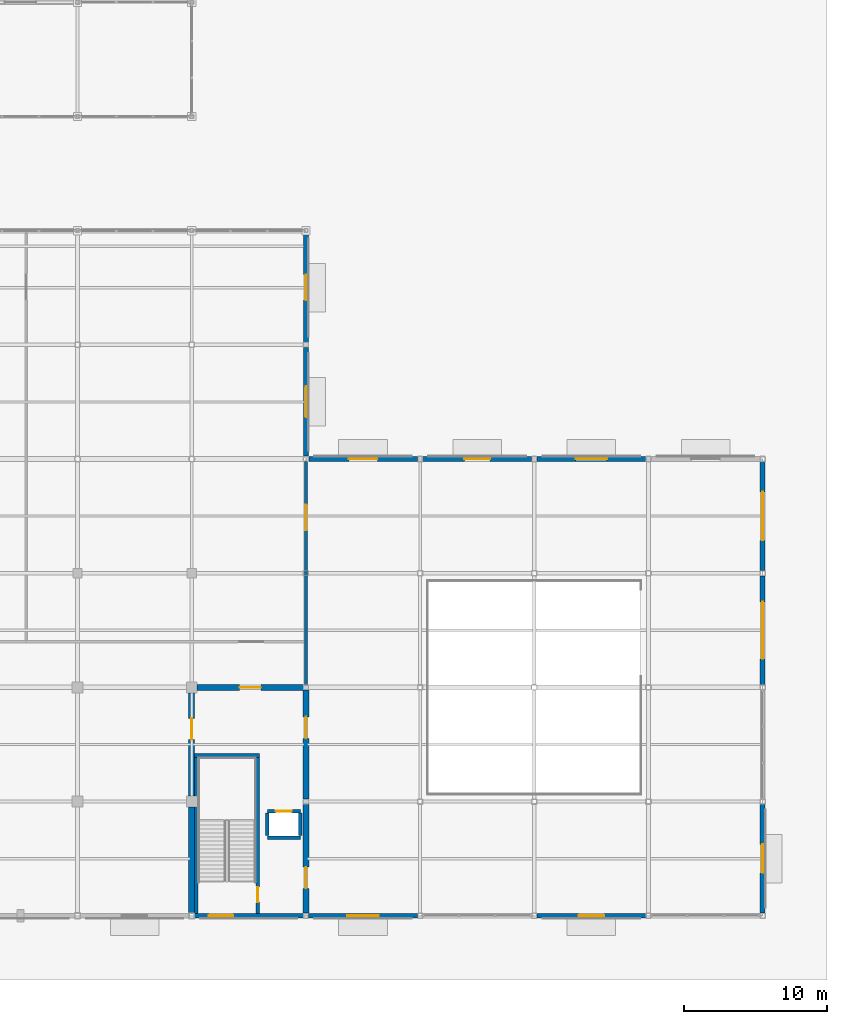
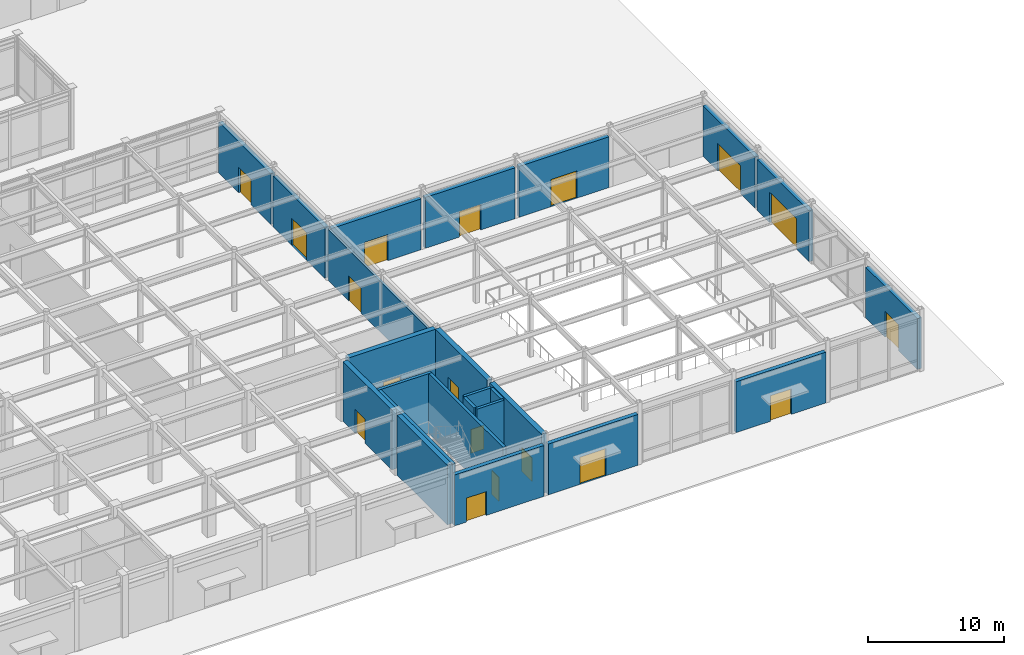
# One storey, part 106 of 128: 24 walls, 18 doors, 18 openings.
"""IFC4 building model written with IfcOpenShell, lengths in metres."""

from ifc_helpers import new_model, si_unit, direction, frame, frame_2d, origin, place, context, subcontext, project, spatial, rectangle, extrude, material, layer, layer_set, type_object, element, fill, save


model = new_model("IFC4")

# Units and contexts
model_context = context("Model", 3, precision=1e-05, world=origin(), true_north=direction((0.0, 1.0)))
body_context = subcontext(model_context, "Body", "Model", "MODEL_VIEW")
ifc_project = project(units=[si_unit("LENGTHUNIT", "METRE"), si_unit("AREAUNIT", "SQUARE_METRE"), si_unit("VOLUMEUNIT", "CUBIC_METRE"), si_unit("PLANEANGLEUNIT", "RADIAN"), si_unit("MASSUNIT", "GRAM", prefix="KILO")], contexts=[model_context])

# Site, building, storey
site_placement = place(None, origin())
site = spatial("IfcSite", under=ifc_project, at=site_placement, CompositionType="ELEMENT")
building_placement = place(site_placement, origin())
building = spatial("IfcBuilding", under=site, at=building_placement, Name="Solmirada Galleria", CompositionType="ELEMENT")
storey_placement = place(building_placement, origin())
storey = spatial("IfcBuildingStorey", under=building, at=storey_placement, Name="L00", CompositionType="ELEMENT", Elevation=0.0)

# Wall, opening, door
ifc_material_1 = material(Name="Concrete C40/50", Category="concrete")
ifc_layer_1 = layer(ifc_material_1, 0.419921875)
ifc_layer_set_1 = layer_set([ifc_layer_1], Name="Concrete C40/50")
wall_type_1 = type_object("IfcWallType", Name="WL-CORE-420", PredefinedType="SHEAR", material=ifc_layer_set_1)
wall_1_placement = place(storey_placement, frame((136.375, 16.0, 0.0), z_axis=(0.0, 0.0, 1.0), x_axis=(1.0, 0.0, 0.0)))
wall_1 = element("IfcWall", 1, at=wall_1_placement, inside=storey, type_object=wall_type_1, Name="Core C6 shear wall L00 N1", PredefinedType="SHEAR", context=body_context, shape_type="SweptSolid", body=[
    extrude(rectangle(XDim=7.447021484375, YDim=0.419921875, at=frame_2d((3.7236328125, 0.0))), origin(), (0.0, 0.0, 1.0), 5.3798828125),
])
opening_1_placement = place(wall_1_placement, frame((2.97412109375, 0.0, 0.0)))
opening_1 = element("IfcOpeningElement", 2, at=opening_1_placement, cuts=wall_1, Name="Opening LDY-241", PredefinedType="OPENING", context=body_context, shape_type="SweptSolid", body=[
    extrude(rectangle(XDim=1.5, YDim=2.14990234375, at=frame_2d((0.75, 1.074951171875))), frame((0.0, 0.219970703125, 0.0), z_axis=(0.0, -1.0, 0.0), x_axis=(1.0, 0.0, 0.0)), (0.0, 0.0, 1.0), 0.43994140625),
])
ifc_material_2 = material(Name="Fire-rated painted steel door assembly", Category="steel")
door_type_1 = type_object("IfcDoorType", Name="DR-LOBBY-150X215", OperationType="DOUBLE_DOOR_SINGLE_SWING", PredefinedType="DOOR", material=ifc_material_2)
door_1_placement = place(opening_1_placement, origin())
door_1 = element("IfcDoor", 3, at=door_1_placement, inside=storey, type_object=door_type_1, Name="Core C6 lobby access fire door LDY-241", OperationType="DOUBLE_DOOR_SINGLE_SWING", OverallHeight=2.14990234375, OverallWidth=1.5, PredefinedType="DOOR", context=body_context, shape_type="SweptSolid", body=[
    extrude(rectangle(XDim=1.5, YDim=2.14990234375, at=frame_2d((0.75, 1.074951171875))), frame((0.0, 0.02490234375, 0.0), z_axis=(0.0, -1.0, 0.0), x_axis=(1.0, 0.0, 0.0)), (0.0, 0.0, 1.0), 0.050048828125),
])
fill(opening_1, door_1)

# Wall
wall_2_placement = place(storey_placement, frame((136.0, 0.202880859375, 0.0), z_axis=(0.0, 0.0, 1.0), x_axis=(0.0, 1.0, 0.0)))
element("IfcWall", 4, at=wall_2_placement, inside=storey, type_object=wall_type_1, Name="Core C6 shear wall L00 W1", PredefinedType="SHEAR", context=body_context, shape_type="SweptSolid", body=[
    extrude(rectangle(XDim=7.422119140625, YDim=0.419921875, at=frame_2d((3.7109375, 0.0))), origin(), (0.0, 0.0, 1.0), 5.3798828125),
])

# Wall, opening, door
wall_3_placement = place(storey_placement, frame((136.0, 8.375, 0.0), z_axis=(0.0, 0.0, 1.0), x_axis=(0.0, 1.0, 0.0)))
wall_3 = element("IfcWall", 5, at=wall_3_placement, inside=storey, type_object=wall_type_1, Name="Core C6 shear wall L00 W2", PredefinedType="SHEAR", context=body_context, shape_type="SweptSolid", body=[
    extrude(rectangle(XDim=7.25, YDim=0.419921875, at=frame_2d((3.625, 0.0))), origin(), (0.0, 0.0, 1.0), 5.3798828125),
])
opening_2_placement = place(wall_3_placement, frame((3.962890625, 0.0, 0.0)))
opening_2 = element("IfcOpeningElement", 6, at=opening_2_placement, cuts=wall_3, Name="Opening LDY-242", PredefinedType="OPENING", context=body_context, shape_type="SweptSolid", body=[
    extrude(rectangle(XDim=1.5, YDim=2.14990234375, at=frame_2d((0.75, 1.074951171875))), frame((0.0, 0.219970703125, 0.0), z_axis=(0.0, -1.0, 0.0), x_axis=(1.0, 0.0, 0.0)), (0.0, 0.0, 1.0), 0.43994140625),
])
door_2_placement = place(opening_2_placement, origin())
door_2 = element("IfcDoor", 7, at=door_2_placement, inside=storey, type_object=door_type_1, Name="Core C6 lobby access fire door LDY-242", OperationType="DOUBLE_DOOR_SINGLE_SWING", OverallHeight=2.14990234375, OverallWidth=1.5, PredefinedType="DOOR", context=body_context, shape_type="SweptSolid", body=[
    extrude(rectangle(XDim=1.5, YDim=2.14990234375, at=frame_2d((0.75, 1.074951171875))), frame((0.0, 0.02490234375, 0.0), z_axis=(0.0, -1.0, 0.0), x_axis=(1.0, 0.0, 0.0)), (0.0, 0.0, 1.0), 0.050048828125),
])
fill(opening_2, door_2)

wall_4_placement = place(storey_placement, frame((144.0, 0.177978515625, 0.0), z_axis=(0.0, 0.0, 1.0), x_axis=(0.0, 1.0, 0.0)))
wall_4 = element("IfcWall", 8, at=wall_4_placement, inside=storey, type_object=wall_type_1, Name="Core C6 shear wall L00 E1", PredefinedType="SHEAR", context=body_context, shape_type="SweptSolid", body=[
    extrude(rectangle(XDim=7.64404296875, YDim=0.419921875, at=frame_2d((3.822021484375, 0.0))), origin(), (0.0, 0.0, 1.0), 5.3798828125),
])
opening_3_placement = place(wall_4_placement, frame((1.736083984375, 0.0, 0.0)))
opening_3 = element("IfcOpeningElement", 9, at=opening_3_placement, cuts=wall_4, Name="Opening LDY-243", PredefinedType="OPENING", context=body_context, shape_type="SweptSolid", body=[
    extrude(rectangle(XDim=1.5, YDim=2.14990234375, at=frame_2d((0.75, 1.074951171875))), frame((0.0, 0.219970703125, 0.0), z_axis=(0.0, -1.0, 0.0), x_axis=(1.0, 0.0, 0.0)), (0.0, 0.0, 1.0), 0.43994140625),
])
door_3_placement = place(opening_3_placement, origin())
door_3 = element("IfcDoor", 10, at=door_3_placement, inside=storey, type_object=door_type_1, Name="Core C6 lobby access fire door LDY-243", OperationType="DOUBLE_DOOR_SINGLE_SWING", OverallHeight=2.14990234375, OverallWidth=1.5, PredefinedType="DOOR", context=body_context, shape_type="SweptSolid", body=[
    extrude(rectangle(XDim=1.5, YDim=2.14990234375, at=frame_2d((0.75, 1.074951171875))), frame((0.0, 0.02490234375, 0.0), z_axis=(0.0, -1.0, 0.0), x_axis=(1.0, 0.0, 0.0)), (0.0, 0.0, 1.0), 0.050048828125),
])
fill(opening_3, door_3)

wall_5_placement = place(storey_placement, frame((144.0, 8.177978515625, 0.0), z_axis=(0.0, 0.0, 1.0), x_axis=(0.0, 1.0, 0.0)))
wall_5 = element("IfcWall", 11, at=wall_5_placement, inside=storey, type_object=wall_type_1, Name="Core C6 shear wall L00 E2", PredefinedType="SHEAR", context=body_context, shape_type="SweptSolid", body=[
    extrude(rectangle(XDim=7.64404296875, YDim=0.419921875, at=frame_2d((3.822021484375, 0.0))), origin(), (0.0, 0.0, 1.0), 5.3798828125),
])
opening_4_placement = place(wall_5_placement, frame((4.258056640625, 0.0, 0.0)))
opening_4 = element("IfcOpeningElement", 12, at=opening_4_placement, cuts=wall_5, Name="Opening LDY-244", PredefinedType="OPENING", context=body_context, shape_type="SweptSolid", body=[
    extrude(rectangle(XDim=1.5, YDim=2.14990234375, at=frame_2d((0.75, 1.074951171875))), frame((0.0, 0.219970703125, 0.0), z_axis=(0.0, -1.0, 0.0), x_axis=(1.0, 0.0, 0.0)), (0.0, 0.0, 1.0), 0.43994140625),
])
door_4_placement = place(opening_4_placement, origin())
door_4 = element("IfcDoor", 13, at=door_4_placement, inside=storey, type_object=door_type_1, Name="Core C6 lobby access fire door LDY-244", OperationType="DOUBLE_DOOR_SINGLE_SWING", OverallHeight=2.14990234375, OverallWidth=1.5, PredefinedType="DOOR", context=body_context, shape_type="SweptSolid", body=[
    extrude(rectangle(XDim=1.5, YDim=2.14990234375, at=frame_2d((0.75, 1.074951171875))), frame((0.0, 0.02490234375, 0.0), z_axis=(0.0, -1.0, 0.0), x_axis=(1.0, 0.0, 0.0)), (0.0, 0.0, 1.0), 0.050048828125),
])
fill(opening_4, door_4)

ifc_material_3 = material(Name="Precast concrete C40/50", Category="concrete")
ifc_layer_2 = layer(ifc_material_3, 0.340087890625)
ifc_layer_set_2 = layer_set([ifc_layer_2], Name="Precast concrete C40/50")
wall_type_2 = type_object("IfcWallType", Name="WL-EXT-340", PredefinedType="STANDARD", material=ifc_layer_set_2)
wall_6_placement = place(storey_placement, frame((144.0, 47.873046875, 0.0), z_axis=(0.0, 0.0, 1.0), x_axis=(0.0, -1.0, 0.0)))
wall_6 = element("IfcWall", 14, at=wall_6_placement, inside=storey, type_object=wall_type_2, Name="Exterior wall L00 bay 054", PredefinedType="STANDARD", context=body_context, shape_type="SweptSolid", body=[
    extrude(rectangle(XDim=7.695068359375, YDim=0.340087890625, at=frame_2d((3.84765625, 0.0))), origin(), (0.0, 0.0, 1.0), 4.580078125),
])
opening_5_placement = place(wall_6_placement, frame((2.947998046875, 0.0, 0.0)))
opening_5 = element("IfcOpeningElement", 15, at=opening_5_placement, cuts=wall_6, Name="Opening ED-023", PredefinedType="OPENING", context=body_context, shape_type="SweptSolid", body=[
    extrude(rectangle(XDim=1.800048828125, YDim=2.300048828125, at=frame_2d((0.89990234375, 1.14990234375))), frame((0.0, 0.179931640625, 0.0), z_axis=(0.0, -1.0, 0.0), x_axis=(1.0, 0.0, 0.0)), (0.0, 0.0, 1.0), 0.360107421875),
])
ifc_material_4 = material(Name="Thermally broken aluminium and laminated glass door", Category="aluminium")
door_type_2 = type_object("IfcDoorType", Name="DR-ENT-180X230", OperationType="DOUBLE_DOOR_SINGLE_SWING", PredefinedType="DOOR", material=ifc_material_4)
door_5_placement = place(opening_5_placement, origin())
door_5 = element("IfcDoor", 16, at=door_5_placement, inside=storey, type_object=door_type_2, Name="Public avenue entrance door ED-023", OperationType="DOUBLE_DOOR_SINGLE_SWING", OverallHeight=2.300048828125, OverallWidth=1.800048828125, PredefinedType="DOOR", context=body_context, shape_type="SweptSolid", body=[
    extrude(rectangle(XDim=1.800048828125, YDim=2.300048828125, at=frame_2d((0.89990234375, 1.14990234375))), frame((0.0, 0.02490234375, 0.0), z_axis=(0.0, -1.0, 0.0), x_axis=(1.0, 0.0, 0.0)), (0.0, 0.0, 1.0), 0.050048828125),
])
fill(opening_5, door_5)

wall_7_placement = place(storey_placement, frame((144.0, 39.822021484375, 0.0), z_axis=(0.0, 0.0, 1.0), x_axis=(0.0, -1.0, 0.0)))
wall_7 = element("IfcWall", 17, at=wall_7_placement, inside=storey, type_object=wall_type_2, Name="Exterior wall L00 bay 055", PredefinedType="STANDARD", context=body_context, shape_type="SweptSolid", body=[
    extrude(rectangle(XDim=7.619140625, YDim=0.340087890625, at=frame_2d((3.8095703125, 0.0))), origin(), (0.0, 0.0, 1.0), 4.580078125),
])
opening_6_placement = place(wall_7_placement, frame((2.708984375, 0.0, 0.0)))
opening_6 = element("IfcOpeningElement", 18, at=opening_6_placement, cuts=wall_7, Name="Opening ED-024", PredefinedType="OPENING", context=body_context, shape_type="SweptSolid", body=[
    extrude(rectangle(XDim=2.199951171875, YDim=2.449951171875, at=frame_2d((1.10009765625, 1.22509765625))), frame((0.0, 0.179931640625, 0.0), z_axis=(0.0, -1.0, 0.0), x_axis=(1.0, 0.0, 0.0)), (0.0, 0.0, 1.0), 0.360107421875),
])
door_type_3 = type_object("IfcDoorType", Name="DR-ENT-220X245", OperationType="DOUBLE_DOOR_SINGLE_SWING", PredefinedType="DOOR", material=ifc_material_4)
door_6_placement = place(opening_6_placement, origin())
door_6 = element("IfcDoor", 19, at=door_6_placement, inside=storey, type_object=door_type_3, Name="Public avenue entrance door ED-024", OperationType="DOUBLE_DOOR_SINGLE_SWING", OverallHeight=2.449951171875, OverallWidth=2.199951171875, PredefinedType="DOOR", context=body_context, shape_type="SweptSolid", body=[
    extrude(rectangle(XDim=2.199951171875, YDim=2.449951171875, at=frame_2d((1.10009765625, 1.22509765625))), frame((0.0, 0.02490234375, 0.0), z_axis=(0.0, -1.0, 0.0), x_axis=(1.0, 0.0, 0.0)), (0.0, 0.0, 1.0), 0.050048828125),
])
fill(opening_6, door_6)

wall_8_placement = place(storey_placement, frame((144.202880859375, 32.0, 0.0), z_axis=(0.0, 0.0, 1.0), x_axis=(1.0, 0.0, 0.0)))
wall_8 = element("IfcWall", 20, at=wall_8_placement, inside=storey, type_object=wall_type_2, Name="Exterior wall L00 bay 056", PredefinedType="STANDARD", context=body_context, shape_type="SweptSolid", body=[
    extrude(rectangle(XDim=7.619140625, YDim=0.340087890625, at=frame_2d((3.8095703125, 0.0))), origin(), (0.0, 0.0, 1.0), 4.580078125),
])
opening_7_placement = place(wall_8_placement, frame((2.80908203125, 0.0, 0.0)))
opening_7 = element("IfcOpeningElement", 21, at=opening_7_placement, cuts=wall_8, Name="Opening ED-025", PredefinedType="OPENING", context=body_context, shape_type="SweptSolid", body=[
    extrude(rectangle(XDim=2.0, YDim=2.35009765625, at=frame_2d((1.0, 1.175048828125))), frame((0.0, 0.179931640625, 0.0), z_axis=(0.0, -1.0, 0.0), x_axis=(1.0, 0.0, 0.0)), (0.0, 0.0, 1.0), 0.360107421875),
])
door_type_4 = type_object("IfcDoorType", Name="DR-ENT-200X235", OperationType="DOUBLE_DOOR_SINGLE_SWING", PredefinedType="DOOR", material=ifc_material_4)
door_7_placement = place(opening_7_placement, origin())
door_7 = element("IfcDoor", 22, at=door_7_placement, inside=storey, type_object=door_type_4, Name="Public avenue entrance door ED-025", OperationType="DOUBLE_DOOR_SINGLE_SWING", OverallHeight=2.35009765625, OverallWidth=2.0, PredefinedType="DOOR", context=body_context, shape_type="SweptSolid", body=[
    extrude(rectangle(XDim=2.0, YDim=2.35009765625, at=frame_2d((1.0, 1.175048828125))), frame((0.0, 0.02490234375, 0.0), z_axis=(0.0, -1.0, 0.0), x_axis=(1.0, 0.0, 0.0)), (0.0, 0.0, 1.0), 0.050048828125),
])
fill(opening_7, door_7)

wall_9_placement = place(storey_placement, frame((152.177978515625, 32.0, 0.0), z_axis=(0.0, 0.0, 1.0), x_axis=(1.0, 0.0, 0.0)))
wall_9 = element("IfcWall", 23, at=wall_9_placement, inside=storey, type_object=wall_type_2, Name="Exterior wall L00 bay 057", PredefinedType="STANDARD", context=body_context, shape_type="SweptSolid", body=[
    extrude(rectangle(XDim=7.64404296875, YDim=0.340087890625, at=frame_2d((3.822021484375, 0.0))), origin(), (0.0, 0.0, 1.0), 4.580078125),
])
opening_8_placement = place(wall_9_placement, frame((2.922119140625, 0.0, 0.0)))
opening_8 = element("IfcOpeningElement", 24, at=opening_8_placement, cuts=wall_9, Name="Opening ED-026", PredefinedType="OPENING", context=body_context, shape_type="SweptSolid", body=[
    extrude(rectangle(XDim=1.800048828125, YDim=2.300048828125, at=frame_2d((0.89990234375, 1.14990234375))), frame((0.0, 0.179931640625, 0.0), z_axis=(0.0, -1.0, 0.0), x_axis=(1.0, 0.0, 0.0)), (0.0, 0.0, 1.0), 0.360107421875),
])
door_8_placement = place(opening_8_placement, origin())
door_8 = element("IfcDoor", 25, at=door_8_placement, inside=storey, type_object=door_type_2, Name="Public avenue entrance door ED-026", OperationType="DOUBLE_DOOR_SINGLE_SWING", OverallHeight=2.300048828125, OverallWidth=1.800048828125, PredefinedType="DOOR", context=body_context, shape_type="SweptSolid", body=[
    extrude(rectangle(XDim=1.800048828125, YDim=2.300048828125, at=frame_2d((0.89990234375, 1.14990234375))), frame((0.0, 0.02490234375, 0.0), z_axis=(0.0, -1.0, 0.0), x_axis=(1.0, 0.0, 0.0)), (0.0, 0.0, 1.0), 0.050048828125),
])
fill(opening_8, door_8)

wall_10_placement = place(storey_placement, frame((160.177978515625, 32.0, 0.0), z_axis=(0.0, 0.0, 1.0), x_axis=(1.0, 0.0, 0.0)))
wall_10 = element("IfcWall", 26, at=wall_10_placement, inside=storey, type_object=wall_type_2, Name="Exterior wall L00 bay 058", PredefinedType="STANDARD", context=body_context, shape_type="SweptSolid", body=[
    extrude(rectangle(XDim=7.64404296875, YDim=0.340087890625, at=frame_2d((3.822021484375, 0.0))), origin(), (0.0, 0.0, 1.0), 4.580078125),
])
opening_9_placement = place(wall_10_placement, frame((2.721923828125, 0.0, 0.0)))
opening_9 = element("IfcOpeningElement", 27, at=opening_9_placement, cuts=wall_10, Name="Opening ED-027", PredefinedType="OPENING", context=body_context, shape_type="SweptSolid", body=[
    extrude(rectangle(XDim=2.199951171875, YDim=2.449951171875, at=frame_2d((1.10009765625, 1.22509765625))), frame((0.0, 0.179931640625, 0.0), z_axis=(0.0, -1.0, 0.0), x_axis=(1.0, 0.0, 0.0)), (0.0, 0.0, 1.0), 0.360107421875),
])
door_9_placement = place(opening_9_placement, origin())
door_9 = element("IfcDoor", 28, at=door_9_placement, inside=storey, type_object=door_type_3, Name="Public avenue entrance door ED-027", OperationType="DOUBLE_DOOR_SINGLE_SWING", OverallHeight=2.449951171875, OverallWidth=2.199951171875, PredefinedType="DOOR", context=body_context, shape_type="SweptSolid", body=[
    extrude(rectangle(XDim=2.199951171875, YDim=2.449951171875, at=frame_2d((1.10009765625, 1.22509765625))), frame((0.0, 0.02490234375, 0.0), z_axis=(0.0, -1.0, 0.0), x_axis=(1.0, 0.0, 0.0)), (0.0, 0.0, 1.0), 0.050048828125),
])
fill(opening_9, door_9)

wall_11_placement = place(storey_placement, frame((176.0, 31.822021484375, 0.0), z_axis=(0.0, 0.0, 1.0), x_axis=(0.0, -1.0, 0.0)))
wall_11 = element("IfcWall", 29, at=wall_11_placement, inside=storey, type_object=wall_type_2, Name="Exterior wall L00 bay 060", PredefinedType="STANDARD", context=body_context, shape_type="SweptSolid", body=[
    extrude(rectangle(XDim=7.64404296875, YDim=0.340087890625, at=frame_2d((3.822021484375, 0.0))), origin(), (0.0, 0.0, 1.0), 4.580078125),
])
opening_10_placement = place(wall_11_placement, frame((2.1220703125, 0.0, 0.0)))
opening_10 = element("IfcOpeningElement", 30, at=opening_10_placement, cuts=wall_11, Name="Opening VG-029", PredefinedType="OPENING", context=body_context, shape_type="SweptSolid", body=[
    extrude(rectangle(XDim=3.39990234375, YDim=2.5, at=frame_2d((1.699951171875, 1.25))), frame((0.0, 0.179931640625, 0.0), z_axis=(0.0, -1.0, 0.0), x_axis=(1.0, 0.0, 0.0)), (0.0, 0.0, 1.0), 0.360107421875),
])
ifc_material_5 = material(Name="Painted galvanized steel door assembly", Category="steel")
door_type_5 = type_object("IfcDoorType", Name="DR-GATE-340X250", OperationType="DOUBLE_DOOR_SINGLE_SWING", PredefinedType="GATE", material=ifc_material_5)
door_10_placement = place(opening_10_placement, origin())
door_10 = element("IfcDoor", 31, at=door_10_placement, inside=storey, type_object=door_type_5, Name="Basement parking ramp vehicle gate VG-029", OperationType="DOUBLE_DOOR_SINGLE_SWING", OverallHeight=2.5, OverallWidth=3.39990234375, PredefinedType="GATE", context=body_context, shape_type="SweptSolid", body=[
    extrude(rectangle(XDim=3.39990234375, YDim=2.5, at=frame_2d((1.699951171875, 1.25))), frame((0.0, 0.02490234375, 0.0), z_axis=(0.0, -1.0, 0.0), x_axis=(1.0, 0.0, 0.0)), (0.0, 0.0, 1.0), 0.050048828125),
])
fill(opening_10, door_10)

wall_12_placement = place(storey_placement, frame((176.0, 23.822021484375, 0.0), z_axis=(0.0, 0.0, 1.0), x_axis=(0.0, -1.0, 0.0)))
wall_12 = element("IfcWall", 32, at=wall_12_placement, inside=storey, type_object=wall_type_2, Name="Exterior wall L00 bay 061", PredefinedType="STANDARD", context=body_context, shape_type="SweptSolid", body=[
    extrude(rectangle(XDim=7.64404296875, YDim=0.340087890625, at=frame_2d((3.822021484375, 0.0))), origin(), (0.0, 0.0, 1.0), 4.580078125),
])
opening_11_placement = place(wall_12_placement, frame((1.822021484375, 0.0, 0.0)))
opening_11 = element("IfcOpeningElement", 33, at=opening_11_placement, cuts=wall_12, Name="Opening VG-030", PredefinedType="OPENING", context=body_context, shape_type="SweptSolid", body=[
    extrude(rectangle(XDim=4.0, YDim=2.75, at=frame_2d((2.0, 1.375))), frame((0.0, 0.179931640625, 0.0), z_axis=(0.0, -1.0, 0.0), x_axis=(1.0, 0.0, 0.0)), (0.0, 0.0, 1.0), 0.360107421875),
])
door_type_6 = type_object("IfcDoorType", Name="DR-GATE-400X275", OperationType="ROLLINGUP", PredefinedType="GATE", material=ifc_material_5)
door_11_placement = place(opening_11_placement, origin())
door_11 = element("IfcDoor", 34, at=door_11_placement, inside=storey, type_object=door_type_6, Name="Basement parking ramp vehicle gate VG-030", OperationType="ROLLINGUP", OverallHeight=2.75, OverallWidth=4.0, PredefinedType="GATE", context=body_context, shape_type="SweptSolid", body=[
    extrude(rectangle(XDim=4.0, YDim=2.75, at=frame_2d((2.0, 1.375))), frame((0.0, 0.02490234375, 0.0), z_axis=(0.0, -1.0, 0.0), x_axis=(1.0, 0.0, 0.0)), (0.0, 0.0, 1.0), 0.050048828125),
])
fill(opening_11, door_11)

wall_13_placement = place(storey_placement, frame((176.0, 7.822021484375, 0.0), z_axis=(0.0, 0.0, 1.0), x_axis=(0.0, -1.0, 0.0)))
wall_13 = element("IfcWall", 35, at=wall_13_placement, inside=storey, type_object=wall_type_2, Name="Exterior wall L00 bay 063", PredefinedType="STANDARD", context=body_context, shape_type="SweptSolid", body=[
    extrude(rectangle(XDim=7.64404296875, YDim=0.340087890625, at=frame_2d((3.822021484375, 0.0))), origin(), (0.0, 0.0, 1.0), 4.580078125),
])
opening_12_placement = place(wall_13_placement, frame((2.822021484375, 0.0, 0.0)))
opening_12 = element("IfcOpeningElement", 36, at=opening_12_placement, cuts=wall_13, Name="Opening ED-031", PredefinedType="OPENING", context=body_context, shape_type="SweptSolid", body=[
    extrude(rectangle(XDim=2.0, YDim=2.35009765625, at=frame_2d((1.0, 1.175048828125))), frame((0.0, 0.179931640625, 0.0), z_axis=(0.0, -1.0, 0.0), x_axis=(1.0, 0.0, 0.0)), (0.0, 0.0, 1.0), 0.360107421875),
])
door_12_placement = place(opening_12_placement, origin())
door_12 = element("IfcDoor", 37, at=door_12_placement, inside=storey, type_object=door_type_4, Name="Public avenue entrance door ED-031", OperationType="DOUBLE_DOOR_SINGLE_SWING", OverallHeight=2.35009765625, OverallWidth=2.0, PredefinedType="DOOR", context=body_context, shape_type="SweptSolid", body=[
    extrude(rectangle(XDim=2.0, YDim=2.35009765625, at=frame_2d((1.0, 1.175048828125))), frame((0.0, 0.02490234375, 0.0), z_axis=(0.0, -1.0, 0.0), x_axis=(1.0, 0.0, 0.0)), (0.0, 0.0, 1.0), 0.050048828125),
])
fill(opening_12, door_12)

wall_14_placement = place(storey_placement, frame((167.822021484375, 0.0, 0.0), z_axis=(0.0, 0.0, 1.0), x_axis=(-1.0, 0.0, 0.0)))
wall_14 = element("IfcWall", 38, at=wall_14_placement, inside=storey, type_object=wall_type_2, Name="Exterior wall L00 bay 065", PredefinedType="STANDARD", context=body_context, shape_type="SweptSolid", body=[
    extrude(rectangle(XDim=7.64404296875, YDim=0.340087890625, at=frame_2d((3.822021484375, 0.0))), origin(), (0.0, 0.0, 1.0), 4.580078125),
])
opening_13_placement = place(wall_14_placement, frame((2.922119140625, 0.0, 0.0)))
opening_13 = element("IfcOpeningElement", 39, at=opening_13_placement, cuts=wall_14, Name="Opening ED-032", PredefinedType="OPENING", context=body_context, shape_type="SweptSolid", body=[
    extrude(rectangle(XDim=1.800048828125, YDim=2.300048828125, at=frame_2d((0.89990234375, 1.14990234375))), frame((0.0, 0.179931640625, 0.0), z_axis=(0.0, -1.0, 0.0), x_axis=(1.0, 0.0, 0.0)), (0.0, 0.0, 1.0), 0.360107421875),
])
door_13_placement = place(opening_13_placement, origin())
door_13 = element("IfcDoor", 40, at=door_13_placement, inside=storey, type_object=door_type_2, Name="Public avenue entrance door ED-032", OperationType="DOUBLE_DOOR_SINGLE_SWING", OverallHeight=2.300048828125, OverallWidth=1.800048828125, PredefinedType="DOOR", context=body_context, shape_type="SweptSolid", body=[
    extrude(rectangle(XDim=1.800048828125, YDim=2.300048828125, at=frame_2d((0.89990234375, 1.14990234375))), frame((0.0, 0.02490234375, 0.0), z_axis=(0.0, -1.0, 0.0), x_axis=(1.0, 0.0, 0.0)), (0.0, 0.0, 1.0), 0.050048828125),
])
fill(opening_13, door_13)

wall_15_placement = place(storey_placement, frame((151.822021484375, 0.0, 0.0), z_axis=(0.0, 0.0, 1.0), x_axis=(-1.0, 0.0, 0.0)))
wall_15 = element("IfcWall", 41, at=wall_15_placement, inside=storey, type_object=wall_type_2, Name="Exterior wall L00 bay 067", PredefinedType="STANDARD", context=body_context, shape_type="SweptSolid", body=[
    extrude(rectangle(XDim=7.64404296875, YDim=0.340087890625, at=frame_2d((3.822021484375, 0.0))), origin(), (0.0, 0.0, 1.0), 4.580078125),
])
opening_14_placement = place(wall_15_placement, frame((2.721923828125, 0.0, 0.0)))
opening_14 = element("IfcOpeningElement", 42, at=opening_14_placement, cuts=wall_15, Name="Opening ED-033", PredefinedType="OPENING", context=body_context, shape_type="SweptSolid", body=[
    extrude(rectangle(XDim=2.199951171875, YDim=2.449951171875, at=frame_2d((1.10009765625, 1.22509765625))), frame((0.0, 0.179931640625, 0.0), z_axis=(0.0, -1.0, 0.0), x_axis=(1.0, 0.0, 0.0)), (0.0, 0.0, 1.0), 0.360107421875),
])
door_14_placement = place(opening_14_placement, origin())
door_14 = element("IfcDoor", 43, at=door_14_placement, inside=storey, type_object=door_type_3, Name="Public avenue entrance door ED-033", OperationType="DOUBLE_DOOR_SINGLE_SWING", OverallHeight=2.449951171875, OverallWidth=2.199951171875, PredefinedType="DOOR", context=body_context, shape_type="SweptSolid", body=[
    extrude(rectangle(XDim=2.199951171875, YDim=2.449951171875, at=frame_2d((1.10009765625, 1.22509765625))), frame((0.0, 0.02490234375, 0.0), z_axis=(0.0, -1.0, 0.0), x_axis=(1.0, 0.0, 0.0)), (0.0, 0.0, 1.0), 0.050048828125),
])
fill(opening_14, door_14)

wall_16_placement = place(storey_placement, frame((143.822021484375, 0.0, 0.0), z_axis=(0.0, 0.0, 1.0), x_axis=(-1.0, 0.0, 0.0)))
wall_16 = element("IfcWall", 44, at=wall_16_placement, inside=storey, type_object=wall_type_2, Name="Exterior wall L00 bay 068", PredefinedType="STANDARD", context=body_context, shape_type="SweptSolid", body=[
    extrude(rectangle(XDim=7.619140625, YDim=0.340087890625, at=frame_2d((3.8095703125, 0.0))), origin(), (0.0, 0.0, 1.0), 4.580078125),
])
opening_15_placement = place(wall_16_placement, frame((4.9189453125, 0.0, 0.0)))
opening_15 = element("IfcOpeningElement", 45, at=opening_15_placement, cuts=wall_16, Name="Opening ED-034", PredefinedType="OPENING", context=body_context, shape_type="SweptSolid", body=[
    extrude(rectangle(XDim=1.699951171875, YDim=2.14990234375, at=frame_2d((0.85009765625, 1.074951171875))), frame((0.0, 0.179931640625, 0.0), z_axis=(0.0, -1.0, 0.0), x_axis=(1.0, 0.0, 0.0)), (0.0, 0.0, 1.0), 0.360107421875),
])
door_type_7 = type_object("IfcDoorType", Name="DR-EXIT-170X215", OperationType="DOUBLE_DOOR_SINGLE_SWING", PredefinedType="DOOR", material=ifc_material_5)
door_15_placement = place(opening_15_placement, origin())
door_15 = element("IfcDoor", 46, at=door_15_placement, inside=storey, type_object=door_type_7, Name="Exit stair ST6 exterior discharge door ED-034", OperationType="DOUBLE_DOOR_SINGLE_SWING", OverallHeight=2.14990234375, OverallWidth=1.699951171875, PredefinedType="DOOR", context=body_context, shape_type="SweptSolid", body=[
    extrude(rectangle(XDim=1.699951171875, YDim=2.14990234375, at=frame_2d((0.85009765625, 1.074951171875))), frame((0.0, 0.02490234375, 0.0), z_axis=(0.0, -1.0, 0.0), x_axis=(1.0, 0.0, 0.0)), (0.0, 0.0, 1.0), 0.050048828125),
])
fill(opening_15, door_15)

ifc_layer_3 = layer(ifc_material_1, 0.239990234375)
ifc_layer_set_3 = layer_set([ifc_layer_3], Name="Concrete C40/50")
wall_type_3 = type_object("IfcWallType", Name="WL-HOIST-240", PredefinedType="PARTITIONING", material=ifc_layer_set_3)
wall_17_placement = place(storey_placement, frame((141.294921875, 7.330078125, 0.0), z_axis=(0.0, 0.0, 1.0), x_axis=(1.0, 0.0, 0.0)))
wall_17 = element("IfcWall", 47, at=wall_17_placement, inside=storey, type_object=wall_type_3, Name="Lift LP6 hoistway front wall L00", PredefinedType="PARTITIONING", context=body_context, shape_type="SweptSolid", body=[
    extrude(rectangle(XDim=2.31005859375, YDim=0.239990234375, at=frame_2d((1.155029296875, 0.0))), origin(), (0.0, 0.0, 1.0), 5.3798828125),
])
opening_16_placement = place(wall_17_placement, frame((0.60498046875, 0.0, 0.0)))
opening_16 = element("IfcOpeningElement", 48, at=opening_16_placement, cuts=wall_17, Name="Opening LD-LP6-L00", PredefinedType="OPENING", context=body_context, shape_type="SweptSolid", body=[
    extrude(rectangle(XDim=1.10009765625, YDim=2.14990234375, at=frame_2d((0.550048828125, 1.074951171875))), frame((0.0, 0.1298828125, 0.0), z_axis=(0.0, -1.0, 0.0), x_axis=(1.0, 0.0, 0.0)), (0.0, 0.0, 1.0), 0.260009765625),
])
ifc_material_6 = material(Name="Brushed stainless-steel sliding landing door", Category="steel")
door_type_8 = type_object("IfcDoorType", Name="DR-LIFT-110X215", OperationType="SLIDING_TO_LEFT", PredefinedType="DOOR", material=ifc_material_6)
door_16_placement = place(opening_16_placement, origin())
door_16 = element("IfcDoor", 49, at=door_16_placement, inside=storey, type_object=door_type_8, Name="Lift LP6 sliding landing door L00", OperationType="SLIDING_TO_LEFT", OverallHeight=2.14990234375, OverallWidth=1.10009765625, PredefinedType="DOOR", context=body_context, shape_type="SweptSolid", body=[
    extrude(rectangle(XDim=1.10009765625, YDim=2.14990234375, at=frame_2d((0.550048828125, 1.074951171875))), frame((0.0, 0.02490234375, 0.0), z_axis=(0.0, -1.0, 0.0), x_axis=(1.0, 0.0, 0.0)), (0.0, 0.0, 1.0), 0.050048828125),
])
fill(opening_16, door_16)

# Walls
wall_18_placement = place(storey_placement, frame((141.294921875, 5.469970703125, 0.0), z_axis=(0.0, 0.0, 1.0), x_axis=(1.0, 0.0, 0.0)))
element("IfcWall", 50, at=wall_18_placement, inside=storey, type_object=wall_type_3, Name="Lift LP6 hoistway rear wall L00", PredefinedType="PARTITIONING", context=body_context, shape_type="SweptSolid", body=[
    extrude(rectangle(XDim=2.31005859375, YDim=0.239990234375, at=frame_2d((1.155029296875, 0.0))), origin(), (0.0, 0.0, 1.0), 5.3798828125),
])
for number, where, z_axis, x_axis, name in (
    (51, (141.294921875, 5.610107421875, 0.0), (0.0, 0.0, 1.0), (0.0, 1.0, 0.0), "Lift LP6 hoistway side wall L L00"),
    (52, (143.60498046875, 5.610107421875, 0.0), (0.0, 0.0, 1.0), (0.0, 1.0, 0.0), "Lift LP6 hoistway side wall R L00"),
):
    element("IfcWall", number, at=place(storey_placement, frame(where, z_axis=z_axis, x_axis=x_axis)), inside=storey, type_object=wall_type_3, Name=name, PredefinedType="PARTITIONING", context=body_context, shape_type="SweptSolid", body=[
        extrude(rectangle(XDim=1.579833984375, YDim=0.239990234375, at=frame_2d((0.7900390625, 0.0))), origin(), (0.0, 0.0, 1.0), 5.3798828125),
    ])

# Wall, opening, door
ifc_material_7 = material(Name="Fire-rated gypsum and steel-stud partition", Category="steel")
ifc_layer_4 = layer(ifc_material_7, 0.18994140625)
ifc_layer_set_4 = layer_set([ifc_layer_4], Name="Fire-rated gypsum and steel-stud partition")
wall_type_4 = type_object("IfcWallType", Name="WL-PART-190", PredefinedType="PARTITIONING", material=ifc_layer_set_4)
wall_19_placement = place(storey_placement, frame((144.0, 16.177978515625, 0.0), z_axis=(0.0, 0.0, 1.0), x_axis=(0.0, 1.0, 0.0)))
wall_19 = element("IfcWall", 53, at=wall_19_placement, inside=storey, type_object=wall_type_4, Name="Partition L00-037 (East Stockroom L00)", PredefinedType="PARTITIONING", context=body_context, shape_type="SweptSolid", body=[
    extrude(rectangle(XDim=15.672119140625, YDim=0.18994140625, at=frame_2d((7.8359375, 0.0))), origin(), (0.0, 0.0, 1.0), 4.580078125),
])
opening_17_placement = place(wall_19_placement, frame((10.827880859375, 0.0, 0.0)))
opening_17 = element("IfcOpeningElement", 54, at=opening_17_placement, cuts=wall_19, Name="Opening ID-283", PredefinedType="OPENING", context=body_context, shape_type="SweptSolid", body=[
    extrude(rectangle(XDim=1.800048828125, YDim=2.25, at=frame_2d((0.89990234375, 1.125))), frame((0.0, 0.10498046875, 0.0), z_axis=(0.0, -1.0, 0.0), x_axis=(1.0, 0.0, 0.0)), (0.0, 0.0, 1.0), 0.2099609375),
])
door_type_9 = type_object("IfcDoorType", Name="DR-STOCK-180X225", OperationType="DOUBLE_DOOR_SINGLE_SWING", PredefinedType="DOOR", material=ifc_material_2)
door_17_placement = place(opening_17_placement, origin())
door_17 = element("IfcDoor", 55, at=door_17_placement, inside=storey, type_object=door_type_9, Name="East Stockroom L00 door ID-283", OperationType="DOUBLE_DOOR_SINGLE_SWING", OverallHeight=2.25, OverallWidth=1.800048828125, PredefinedType="DOOR", context=body_context, shape_type="SweptSolid", body=[
    extrude(rectangle(XDim=1.800048828125, YDim=2.25, at=frame_2d((0.89990234375, 1.125))), frame((0.0, 0.02490234375, 0.0), z_axis=(0.0, -1.0, 0.0), x_axis=(1.0, 0.0, 0.0)), (0.0, 0.0, 1.0), 0.050048828125),
])
fill(opening_17, door_17)

# Walls
ifc_layer_5 = layer(ifc_material_1, 0.260009765625)
ifc_layer_set_5 = layer_set([ifc_layer_5], Name="Concrete C40/50")
wall_type_5 = type_object("IfcWallType", Name="WL-SHAFT-260", PredefinedType="SHEAR", material=ifc_layer_set_5)
wall_20_placement = place(storey_placement, frame((136.18994140625, 11.22998046875, 0.0), z_axis=(0.0, 0.0, 1.0), x_axis=(1.0, 0.0, 0.0)))
element("IfcWall", 56, at=wall_20_placement, inside=storey, type_object=wall_type_5, Name="Stair ST6 enclosure wall L00 N", PredefinedType="SHEAR", context=body_context, shape_type="SweptSolid", body=[
    extrude(rectangle(XDim=4.570068359375, YDim=0.260009765625, at=frame_2d((2.28515625, 0.0))), origin(), (0.0, 0.0, 1.0), 5.3798828125),
])
wall_21_placement = place(storey_placement, frame((136.320068359375, 0.14501953125, 0.0), z_axis=(0.0, 0.0, 1.0), x_axis=(0.0, 1.0, 0.0)))
element("IfcWall", 57, at=wall_21_placement, inside=storey, type_object=wall_type_5, Name="Stair ST6 enclosure wall L00 W", PredefinedType="SHEAR", context=body_context, shape_type="SweptSolid", body=[
    extrude(rectangle(XDim=10.955078125, YDim=0.260009765625, at=frame_2d((5.4775390625, 0.0))), origin(), (0.0, 0.0, 1.0), 5.3798828125),
])

# Wall, opening, door
wall_22_placement = place(storey_placement, frame((140.6298828125, 0.14501953125, 0.0), z_axis=(0.0, 0.0, 1.0), x_axis=(0.0, 1.0, 0.0)))
wall_22 = element("IfcWall", 58, at=wall_22_placement, inside=storey, type_object=wall_type_5, Name="Stair ST6 enclosure wall L00 E", PredefinedType="SHEAR", context=body_context, shape_type="SweptSolid", body=[
    extrude(rectangle(XDim=10.955078125, YDim=0.260009765625, at=frame_2d((5.4775390625, 0.0))), origin(), (0.0, 0.0, 1.0), 5.3798828125),
])
opening_18_placement = place(wall_22_placement, frame((0.804931640625, 0.0, 0.0)))
opening_18 = element("IfcOpeningElement", 59, at=opening_18_placement, cuts=wall_22, Name="Opening SD-240", PredefinedType="OPENING", context=body_context, shape_type="SweptSolid", body=[
    extrude(rectangle(XDim=1.050048828125, YDim=2.14990234375, at=frame_2d((0.52490234375, 1.074951171875))), frame((0.0, 0.139892578125, 0.0), z_axis=(0.0, -1.0, 0.0), x_axis=(1.0, 0.0, 0.0)), (0.0, 0.0, 1.0), 0.280029296875),
])
door_type_10 = type_object("IfcDoorType", Name="DR-STAIR-105X215", OperationType="NOTDEFINED", PredefinedType="DOOR", material=ifc_material_2)
door_18_placement = place(opening_18_placement, origin())
door_18 = element("IfcDoor", 60, at=door_18_placement, inside=storey, type_object=door_type_10, Name="Exit stair ST6 enclosure fire door SD-240", OperationType="SINGLE_SWING_LEFT", OverallHeight=2.14990234375, OverallWidth=1.050048828125, PredefinedType="DOOR", context=body_context, shape_type="SweptSolid", body=[
    extrude(rectangle(XDim=1.050048828125, YDim=2.14990234375, at=frame_2d((0.52490234375, 1.074951171875))), frame((0.0, 0.02490234375, 0.0), z_axis=(0.0, -1.0, 0.0), x_axis=(1.0, 0.0, 0.0)), (0.0, 0.0, 1.0), 0.050048828125),
])
fill(opening_18, door_18)

save(model, "model.ifc")
